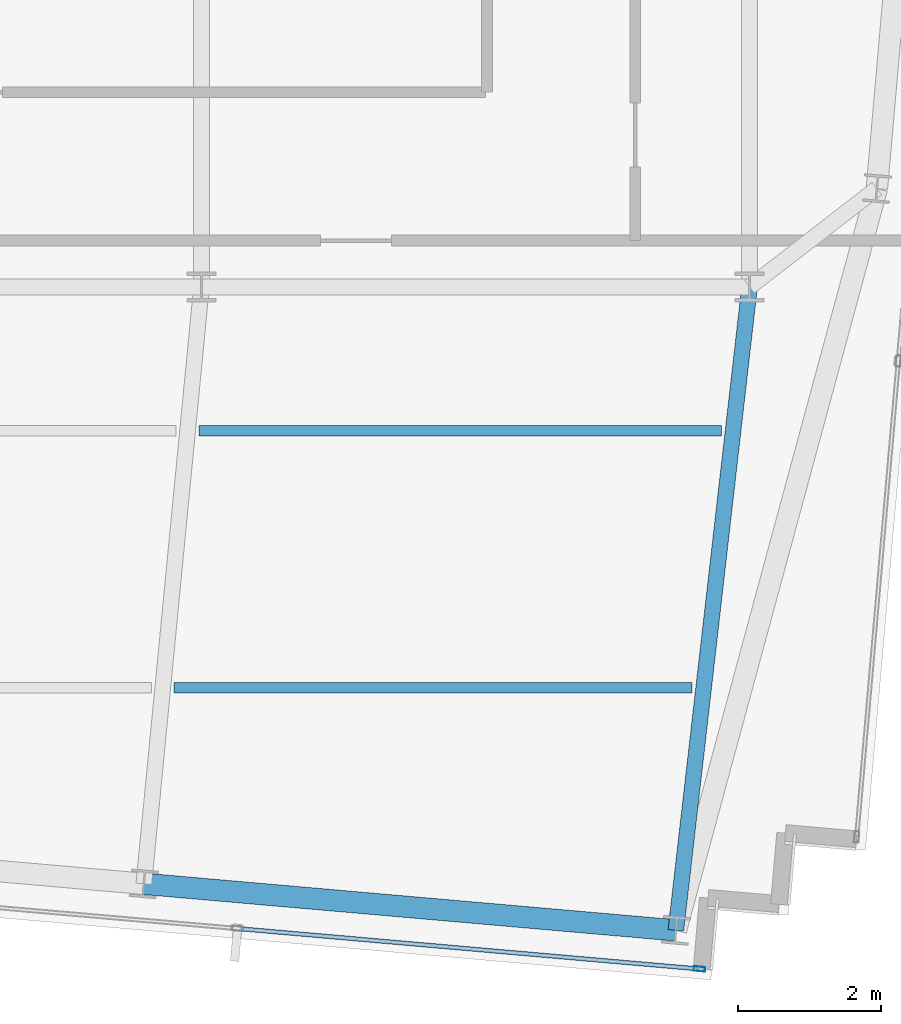
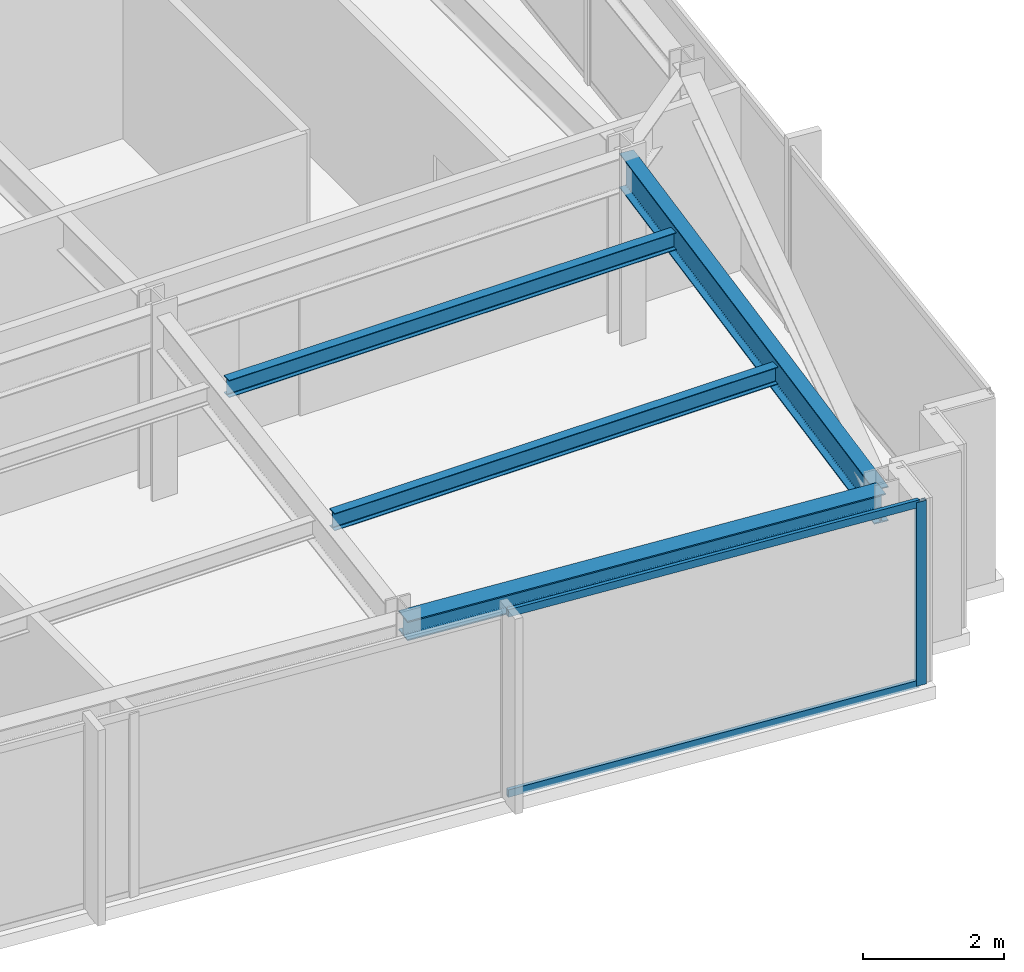
# One storey, part 14 of 32: 4 beams, 3 members, 1 element without a shape of its own.
"""IFC4 building model written with IfcOpenShell, lengths in metres."""

from ifc_helpers import new_model, si_unit, direction, frame, origin, origin_2d, place, context, subcontext, project, spatial, hollow_rectangle, i_section, extrude, material, material_profile, profile_set, type_object, element, aggregate, save


model = new_model("IFC4")

# Units and contexts
model_context = context("Model", 3, precision=1e-05, world=origin(), true_north=direction((0.0, 1.0)))
body_context = subcontext(model_context, "Body", "Model", "MODEL_VIEW")
ifc_project = project(units=[si_unit("LENGTHUNIT", "METRE"), si_unit("AREAUNIT", "SQUARE_METRE"), si_unit("VOLUMEUNIT", "CUBIC_METRE"), si_unit("PLANEANGLEUNIT", "RADIAN"), si_unit("MASSUNIT", "GRAM", prefix="KILO")], contexts=[model_context])

# Site, building, storey
site_placement = place(None, origin())
site = spatial("IfcSite", under=ifc_project, at=site_placement, CompositionType="ELEMENT")
building_placement = place(site_placement, origin())
building = spatial("IfcBuilding", under=site, at=building_placement, Name="Yelkora Congress Tower", CompositionType="ELEMENT")
storey_placement = place(building_placement, frame((0.0, 0.0, 262.5)))
storey = spatial("IfcBuildingStorey", under=building, at=storey_placement, Name="L73", CompositionType="ELEMENT", Elevation=262.5)

# Beams
ifc_material_1 = material(Name="Steel S355J2", Category="steel")
ifc_material_profile_1 = material_profile(ifc_material_1, i_section(OverallWidth=0.219970703125, OverallDepth=0.60009765625, WebThickness=0.011962890625, FlangeThickness=0.01904296875, FilletRadius=0.02392578125, at=origin_2d()), Name="IPE 600")
ifc_profile_set_1 = profile_set([ifc_material_profile_1], Name="Steel S355J2")
beam_type_1 = type_object("IfcBeamType", Name="BM-GIRD-IPE600", PredefinedType="BEAM", material=ifc_profile_set_1)
beam_1_placement = place(storey_placement, frame((52.727294921875, 16.1845703125, 2.8798828125), z_axis=(0.113806093355, 0.993502980929, 0.0), x_axis=(-0.993502980929, 0.113806093355, 0.0)))
element("IfcBeam", 1, at=beam_1_placement, inside=storey, type_object=beam_type_1, Name="L73 Primary Frame Girder S07", PredefinedType="BEAM", context=body_context, shape_type="SweptSolid", body=[
    extrude(i_section(OverallWidth=0.219970703125, OverallDepth=0.60009765625, WebThickness=0.011962890625, FlangeThickness=0.01904296875, FilletRadius=0.02392578125, at=origin_2d()), origin(), (0.0, 0.0, 1.0), 9.07421875),
])
ifc_material_profile_2 = material_profile(ifc_material_1, i_section(OverallWidth=0.14990234375, OverallDepth=0.300048828125, WebThickness=0.007080078125, FlangeThickness=0.0107421875, FilletRadius=0.014892578125, at=origin_2d()), Name="IPE 300")
ifc_profile_set_2 = profile_set([ifc_material_profile_2], Name="Steel S355J2")
beam_type_2 = type_object("IfcBeamType", Name="BM-JOIST-IPE300", PredefinedType="JOIST", material=ifc_profile_set_2)
beam_2_placement = place(storey_placement, frame((45.69775390625, 19.58447265625, 3.030029296875), z_axis=(1.0, 0.0, 0.0), x_axis=(0.0, 1.0, 0.0)))
element("IfcBeam", 2, at=beam_2_placement, inside=storey, type_object=beam_type_2, Name="L73 Composite Floor Joist 4", PredefinedType="JOIST", context=body_context, shape_type="SweptSolid", body=[
    extrude(i_section(OverallWidth=0.14990234375, OverallDepth=0.300048828125, WebThickness=0.007080078125, FlangeThickness=0.0107421875, FilletRadius=0.014892578125, at=origin_2d()), origin(), (0.0, 0.0, 1.0), 7.259033203125),
])
beam_3_placement = place(storey_placement, frame((46.04541015625, 23.1845703125, 3.030029296875), z_axis=(1.0, 0.0, 0.0), x_axis=(0.0, 1.0, 0.0)))
element("IfcBeam", 3, at=beam_3_placement, inside=storey, type_object=beam_type_2, Name="L73 Composite Floor Joist 8", PredefinedType="JOIST", context=body_context, shape_type="SweptSolid", body=[
    extrude(i_section(OverallWidth=0.14990234375, OverallDepth=0.300048828125, WebThickness=0.007080078125, FlangeThickness=0.0107421875, FilletRadius=0.014892578125, at=origin_2d()), origin(), (0.0, 0.0, 1.0), 7.32373046875),
])
ifc_material_profile_3 = material_profile(ifc_material_1, i_section(OverallWidth=0.300048828125, OverallDepth=0.340087890625, WebThickness=0.011962890625, FlangeThickness=0.021484375, FilletRadius=0.027099609375, at=origin_2d()), Name="HEB 340")
ifc_profile_set_3 = profile_set([ifc_material_profile_3], Name="Steel S355J2")
beam_type_3 = type_object("IfcBeamType", Name="BM-SPAN-HEB340", PredefinedType="SPANDREL", material=ifc_profile_set_3)
beam_4_placement = place(storey_placement, frame((45.2724609375, 16.836669921875, 3.010009765625), z_axis=(0.99619601894, -0.087140644067, 0.0), x_axis=(0.087140644067, 0.99619601894, 0.0)))
element("IfcBeam", 4, at=beam_4_placement, inside=storey, type_object=beam_type_3, Name="L73 Perimeter Beam 6", PredefinedType="SPANDREL", context=body_context, shape_type="SweptSolid", body=[
    extrude(i_section(OverallWidth=0.300048828125, OverallDepth=0.340087890625, WebThickness=0.011962890625, FlangeThickness=0.021484375, FilletRadius=0.027099609375, at=origin_2d()), origin(), (0.0, 0.0, 1.0), 7.4833984375),
])

# Curtain wall, members
ifc_material_2 = material(Name="Anodised aluminium and insulated glass", Category="aluminium")
curtain_wall_type = type_object("IfcCurtainWallType", Name="CW-SYS-B5", PredefinedType="NOTDEFINED", material=ifc_material_2)
curtain_wall_placement = place(storey_placement, origin())
curtain_wall = element("IfcCurtainWall", 5, at=curtain_wall_placement, inside=storey, type_object=curtain_wall_type, Name="L73 Unitised Curtain Wall 20", PredefinedType="NOTDEFINED")
ifc_material_3 = material(Name="Anodised aluminium 6063-T6", Category="aluminium")
ifc_material_profile_4 = material_profile(ifc_material_3, hollow_rectangle(XDim=0.06494140625, YDim=0.159912109375, WallThickness=0.00390625, at=origin_2d()), Name="ALU 65x160x4")
ifc_profile_set_4 = profile_set([ifc_material_profile_4], Name="Anodised aluminium 6063-T6")
member_type_1 = type_object("IfcMemberType", Name="MEM-ML-B5", PredefinedType="MULLION", material=ifc_profile_set_4)
member_1_placement = place(storey_placement, frame((53.058837890625, 15.6435546875, 0.0), z_axis=(0.0, 0.0, 1.0), x_axis=(-0.087156829793, -0.996194602987, 0.0)))
member_1 = element("IfcMember", 6, at=member_1_placement, type_object=member_type_1, Name="CW-B5 mullion 1", PredefinedType="MULLION", context=body_context, shape_type="SweptSolid", body=[
    extrude(hollow_rectangle(XDim=0.06494140625, YDim=0.159912109375, WallThickness=0.00390625, at=origin_2d()), origin(), (0.0, 0.0, 1.0), 3.179931640625),
])
ifc_material_profile_5 = material_profile(ifc_material_3, hollow_rectangle(XDim=0.06005859375, YDim=0.1298828125, WallThickness=0.00390625, at=origin_2d()), Name="ALU 60x130x4")
ifc_profile_set_5 = profile_set([ifc_material_profile_5], Name="Anodised aluminium 6063-T6")
member_type_2 = type_object("IfcMemberType", Name="MEM-TR-B5", PredefinedType="USERDEFINED", material=ifc_profile_set_5)
member_2_placement = place(storey_placement, frame((53.0263671875, 15.646484375, 0.030029296875), z_axis=(-0.996197464696, 0.087124114537, 0.0), x_axis=(-0.087124114537, -0.996197464696, 0.0)))
member_2 = element("IfcMember", 7, at=member_2_placement, type_object=member_type_2, Name="CW-B5 transom 1.1", ObjectType="TRANSOM", PredefinedType="USERDEFINED", context=body_context, shape_type="SweptSolid", body=[
    extrude(hollow_rectangle(XDim=0.06005859375, YDim=0.1298828125, WallThickness=0.00390625, at=origin_2d()), origin(), (0.0, 0.0, 1.0), 6.433837890625),
])
member_3_placement = place(storey_placement, frame((53.0263671875, 15.646484375, 3.14990234375), z_axis=(-0.996197464696, 0.087124114537, 0.0), x_axis=(-0.087124114537, -0.996197464696, 0.0)))
member_3 = element("IfcMember", 8, at=member_3_placement, type_object=member_type_2, Name="CW-B5 transom 1.2", ObjectType="TRANSOM", PredefinedType="USERDEFINED", context=body_context, shape_type="SweptSolid", body=[
    extrude(hollow_rectangle(XDim=0.06005859375, YDim=0.1298828125, WallThickness=0.00390625, at=origin_2d()), origin(), (0.0, 0.0, 1.0), 6.433837890625),
])
aggregate(curtain_wall, [member_1, member_2, member_3])

save(model, "model.ifc")
